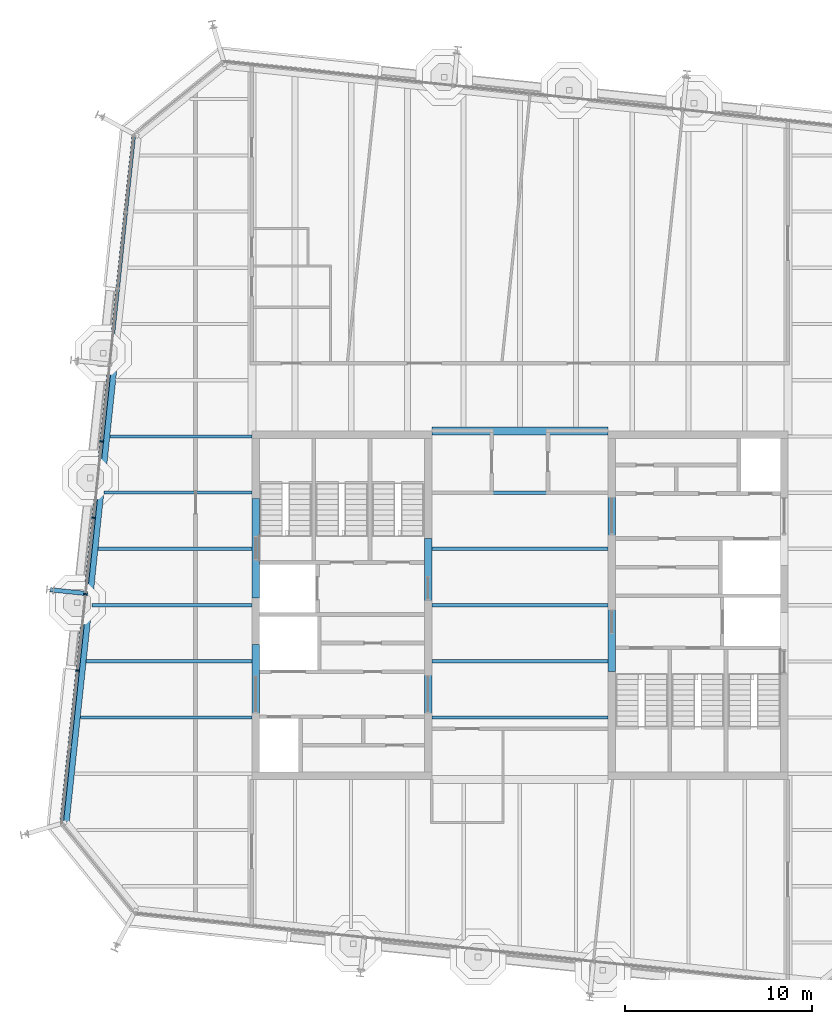
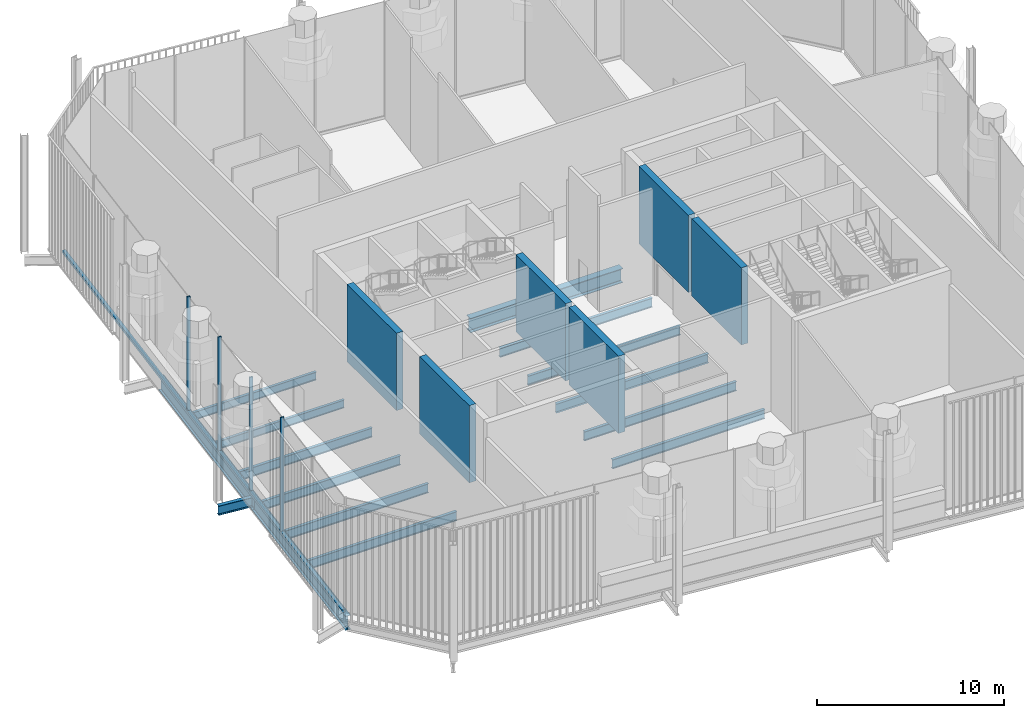
# One storey, part 4 of 17: 21 beams, 5 members, 1 element without a shape of its own.
"""IFC4 building model written with IfcOpenShell, lengths in metres."""

from ifc_helpers import new_model, si_unit, direction, frame, origin, origin_2d, place, context, subcontext, project, spatial, rectangle, i_section, extrude, material, layer, layer_set, material_profile, profile_set, type_object, element, aggregate, save


model = new_model("IFC4")

# Units and contexts
model_context = context("Model", 3, precision=1e-05, world=origin(), true_north=direction((0.0, 1.0)))
body_context = subcontext(model_context, "Body", "Model", "MODEL_VIEW")
ifc_project = project(units=[si_unit("LENGTHUNIT", "METRE"), si_unit("AREAUNIT", "SQUARE_METRE"), si_unit("VOLUMEUNIT", "CUBIC_METRE"), si_unit("PLANEANGLEUNIT", "RADIAN"), si_unit("MASSUNIT", "GRAM", prefix="KILO")], contexts=[model_context])

# Site, building, storey
site_placement = place(None, origin())
site = spatial("IfcSite", under=ifc_project, at=site_placement, CompositionType="ELEMENT")
building_placement = place(site_placement, origin())
building = spatial("IfcBuilding", under=site, at=building_placement, Name="Millrace Tower", CompositionType="ELEMENT")
storey_placement = place(building_placement, frame((0.0, 0.0, 311.10009765625)))
storey = spatial("IfcBuildingStorey", under=building, at=storey_placement, Name="L72", CompositionType="ELEMENT", Elevation=311.10009765625)

# Curtain wall, members
ifc_material_1 = material(Name="Aluminium and glass", Category="aluminium")
ifc_layer = layer(ifc_material_1, 0.199951171875)
ifc_layer_set = layer_set([ifc_layer], Name="Aluminium and glass")
curtain_wall_type = type_object("IfcCurtainWallType", Name="CW-4 sky garden winter glazing", PredefinedType="NOTDEFINED", material=ifc_layer_set)
curtain_wall_placement = place(storey_placement, origin())
curtain_wall = element("IfcCurtainWall", 1, at=curtain_wall_placement, inside=storey, type_object=curtain_wall_type, Name="Curtain wall E-F08 L72", PredefinedType="NOTDEFINED")
ifc_material_2 = material(Name="Aluminium", Category="aluminium")
ifc_material_profile_1 = material_profile(ifc_material_2, rectangle(XDim=0.080078125, YDim=0.199951171875, at=origin_2d()))
ifc_profile_set_1 = profile_set([ifc_material_profile_1], Name="Aluminium")
member_type_1 = type_object("IfcMemberType", Name="CW-4 sky garden winter glazing mullion", PredefinedType="MULLION", material=ifc_profile_set_1)
member_1_placement = place(storey_placement, frame((-22.314697265625, 8.737548828125, 0.179931640625), z_axis=(0.0, 0.0, 1.0), x_axis=(-0.104528455196, -0.994521896217, 0.0)))
member_1 = element("IfcMember", 2, at=member_1_placement, type_object=member_type_1, Name="CW4 mullion E-F08.5", PredefinedType="MULLION", context=body_context, shape_type="SweptSolid", body=[
    extrude(rectangle(XDim=0.080078125, YDim=0.199951171875, at=origin_2d()), origin(), (0.0, 0.0, 1.0), 7.419921875),
])
member_2_placement = place(storey_placement, frame((-22.743408203125, 4.659912109375, 0.179931640625), z_axis=(0.0, 0.0, 1.0), x_axis=(-0.104528455196, -0.994521896217, 0.0)))
member_2 = element("IfcMember", 3, at=member_2_placement, type_object=member_type_1, Name="CW4 mullion E-F08.6", PredefinedType="MULLION", context=body_context, shape_type="SweptSolid", body=[
    extrude(rectangle(XDim=0.080078125, YDim=0.199951171875, at=origin_2d()), origin(), (0.0, 0.0, 1.0), 7.419921875),
])
member_3_placement = place(storey_placement, frame((-23.171875, 0.582275390625, 0.179931640625), z_axis=(0.0, 0.0, 1.0), x_axis=(-0.104528455196, -0.994521896217, 0.0)))
member_3 = element("IfcMember", 4, at=member_3_placement, type_object=member_type_1, Name="CW4 mullion E-F08.7", PredefinedType="MULLION", context=body_context, shape_type="SweptSolid", body=[
    extrude(rectangle(XDim=0.080078125, YDim=0.199951171875, at=origin_2d()), origin(), (0.0, 0.0, 1.0), 7.419921875),
])
member_4_placement = place(storey_placement, frame((-23.600341796875, -3.4951171875, 0.179931640625), z_axis=(0.0, 0.0, 1.0), x_axis=(-0.104528455196, -0.994521896217, 0.0)))
member_4 = element("IfcMember", 5, at=member_4_placement, type_object=member_type_1, Name="CW4 mullion E-F08.8", PredefinedType="MULLION", context=body_context, shape_type="SweptSolid", body=[
    extrude(rectangle(XDim=0.080078125, YDim=0.199951171875, at=origin_2d()), origin(), (0.0, 0.0, 1.0), 7.419921875),
])
ifc_material_3 = material(Name="Aluminium", Category="aluminium")
ifc_material_profile_2 = material_profile(ifc_material_3, rectangle(XDim=0.199951171875, YDim=0.179931640625, at=origin_2d()))
ifc_profile_set_2 = profile_set([ifc_material_profile_2], Name="Aluminium")
member_type_2 = type_object("IfcMemberType", Name="CW-4 sky garden winter glazing transom", PredefinedType="USERDEFINED", material=ifc_profile_set_2)
member_5_placement = place(storey_placement, frame((-20.606689453125, 24.988037109375, 0.08984375), z_axis=(-0.104527916025, -0.994521952886, 0.0), x_axis=(0.994521952886, -0.104527916025, 0.0)))
member_5 = element("IfcMember", 6, at=member_5_placement, type_object=member_type_2, Name="CW4 transom E-F08.1", ObjectType="TRANSOM", PredefinedType="USERDEFINED", context=body_context, shape_type="SweptSolid", body=[
    extrude(rectangle(XDim=0.199951171875, YDim=0.179931640625, at=origin_2d()), origin(), (0.0, 0.0, 1.0), 36.699951171875),
])
aggregate(curtain_wall, [member_1, member_2, member_3, member_4, member_5])

# Beams
ifc_material_4 = material(Name="Concrete C60", Category="concrete")
ifc_material_profile_3 = material_profile(ifc_material_4, rectangle(XDim=0.39990234375, YDim=5.0400390625, at=origin_2d()))
ifc_profile_set_3 = profile_set([ifc_material_profile_3], Name="Concrete C60")
beam_type_1 = type_object("IfcBeamType", Name="Coupling beam 400 x 5040 Concrete C60, 1300 opening", PredefinedType="BEAM", material=ifc_profile_set_3)
for number, where, z_axis, x_axis, name in (
    (7, (-14.10009765625, 0.384033203125, 4.919921875), (0.0, 1.0, 0.0), (-1.0, 0.0, 0.0), "Coupling beam W L72"),
    (8, (-4.89990234375, -1.74609375, 4.919921875), (0.0, 1.0, 0.0), (-1.0, 0.0, 0.0), "Coupling beam W L72"),
    (9, (4.89990234375, 1.74609375, 4.919921875), (0.0, -1.0, 0.0), (1.0, 0.0, 0.0), "Coupling beam E L72"),
):
    element("IfcBeam", number, at=place(storey_placement, frame(where, z_axis=z_axis, x_axis=x_axis)), inside=storey, type_object=beam_type_1, Name=name, PredefinedType="BEAM", context=body_context, shape_type="SweptSolid", body=[
        extrude(rectangle(XDim=0.39990234375, YDim=5.0400390625, at=origin_2d()), origin(), (0.0, 0.0, 1.0), 5.2919921875),
    ])
ifc_material_5 = material(Name="Concrete C60", Category="concrete")
ifc_material_profile_4 = material_profile(ifc_material_5, rectangle(XDim=0.39990234375, YDim=5.0400390625, at=origin_2d()))
ifc_profile_set_4 = profile_set([ifc_material_profile_4], Name="Concrete C60")
beam_type_2 = type_object("IfcBeamType", Name="Coupling beam 400 x 5040 Concrete C60, 2000 opening", PredefinedType="BEAM", material=ifc_profile_set_4)
for number, where, z_axis, x_axis, name in (
    (10, (-14.10009765625, -7.39599609375, 4.919921875), (0.0, 1.0, 0.0), (-1.0, 0.0, 0.0), "Coupling beam W L72"),
    (11, (-4.89990234375, -7.39599609375, 4.919921875), (0.0, 1.0, 0.0), (-1.0, 0.0, 0.0), "Coupling beam W L72"),
    (12, (4.89990234375, 7.39599609375, 4.919921875), (0.0, -1.0, 0.0), (1.0, 0.0, 0.0), "Coupling beam E L72"),
):
    element("IfcBeam", number, at=place(storey_placement, frame(where, z_axis=z_axis, x_axis=x_axis)), inside=storey, type_object=beam_type_2, Name=name, PredefinedType="BEAM", context=body_context, shape_type="SweptSolid", body=[
        extrude(rectangle(XDim=0.39990234375, YDim=5.0400390625, at=origin_2d()), origin(), (0.0, 0.0, 1.0), 5.2919921875),
    ])
ifc_material_6 = material(Name="Steel ASTM A992 Grade 50", Category="steel")
ifc_material_profile_5 = material_profile(ifc_material_6, i_section(OverallWidth=0.1650390625, OverallDepth=0.52587890625, WebThickness=0.0087890625, FlangeThickness=0.011474609375, FilletRadius=0.0126953125, at=origin_2d()))
ifc_profile_set_5 = profile_set([ifc_material_profile_5], Name="Steel ASTM A992 Grade 50")
beam_type_3 = type_object("IfcBeamType", Name="Floor beam W21x44", PredefinedType="JOIST", material=ifc_profile_set_5)
beam_1_placement = place(storey_placement, frame((-22.19287109375, 6.0, -0.512939453125), z_axis=(1.0, 0.0, 0.0), x_axis=(0.0, 1.0, 0.0)))
element("IfcBeam", 13, at=beam_1_placement, inside=storey, type_object=beam_type_3, Name="BM-E-L72-S1-S021", PredefinedType="JOIST", context=body_context, shape_type="SweptSolid", body=[
    extrude(i_section(OverallWidth=0.1650390625, OverallDepth=0.52587890625, WebThickness=0.0087890625, FlangeThickness=0.011474609375, FilletRadius=0.0126953125, at=origin_2d()), origin(), (0.0, 0.0, 1.0), 7.892822265625),
])
beam_2_placement = place(storey_placement, frame((-21.87744140625, 9.0, -0.512939453125), z_axis=(1.0, 0.0, 0.0), x_axis=(0.0, 1.0, 0.0)))
element("IfcBeam", 14, at=beam_2_placement, inside=storey, type_object=beam_type_3, Name="BM-E-L72-S1-S023", PredefinedType="JOIST", context=body_context, shape_type="SweptSolid", body=[
    extrude(i_section(OverallWidth=0.1650390625, OverallDepth=0.52587890625, WebThickness=0.0087890625, FlangeThickness=0.011474609375, FilletRadius=0.0126953125, at=origin_2d()), origin(), (0.0, 0.0, 1.0), 7.577392578125),
])
ifc_material_7 = material(Name="Steel ASTM A992 Grade 50", Category="steel")
ifc_material_profile_6 = material_profile(ifc_material_7, i_section(OverallWidth=0.177978515625, OverallDepth=0.599365234375, WebThickness=0.010009765625, FlangeThickness=0.012939453125, FilletRadius=0.012939453125, at=origin_2d()))
ifc_profile_set_6 = profile_set([ifc_material_profile_6], Name="Steel ASTM A992 Grade 50")
beam_type_4 = type_object("IfcBeamType", Name="Floor beam W24x55", PredefinedType="JOIST", material=ifc_profile_set_6)
beam_3_placement = place(storey_placement, frame((-4.699951171875, -6.0, -0.5498046875), z_axis=(1.0, 0.0, 0.0), x_axis=(0.0, 1.0, 0.0)))
element("IfcBeam", 15, at=beam_3_placement, inside=storey, type_object=beam_type_4, Name="BM-E-L72-S1-S008", PredefinedType="JOIST", context=body_context, shape_type="SweptSolid", body=[
    extrude(i_section(OverallWidth=0.177978515625, OverallDepth=0.599365234375, WebThickness=0.010009765625, FlangeThickness=0.012939453125, FilletRadius=0.012939453125, at=origin_2d()), origin(), (0.0, 0.0, 1.0), 9.39990234375),
])
beam_4_placement = place(storey_placement, frame((-23.4541015625, -6.0, -0.5498046875), z_axis=(1.0, 0.0, 0.0), x_axis=(0.0, 1.0, 0.0)))
element("IfcBeam", 16, at=beam_4_placement, inside=storey, type_object=beam_type_4, Name="BM-E-L72-S1-S009", PredefinedType="JOIST", context=body_context, shape_type="SweptSolid", body=[
    extrude(i_section(OverallWidth=0.177978515625, OverallDepth=0.599365234375, WebThickness=0.010009765625, FlangeThickness=0.012939453125, FilletRadius=0.012939453125, at=origin_2d()), origin(), (0.0, 0.0, 1.0), 9.154052734375),
])
beam_5_placement = place(storey_placement, frame((-4.699951171875, -3.0, -0.5498046875), z_axis=(1.0, 0.0, 0.0), x_axis=(0.0, 1.0, 0.0)))
element("IfcBeam", 17, at=beam_5_placement, inside=storey, type_object=beam_type_4, Name="BM-E-L72-S1-S011", PredefinedType="JOIST", context=body_context, shape_type="SweptSolid", body=[
    extrude(i_section(OverallWidth=0.177978515625, OverallDepth=0.599365234375, WebThickness=0.010009765625, FlangeThickness=0.012939453125, FilletRadius=0.012939453125, at=origin_2d()), origin(), (0.0, 0.0, 1.0), 9.39990234375),
])
beam_6_placement = place(storey_placement, frame((-23.138916015625, -3.0, -0.5498046875), z_axis=(1.0, 0.0, 0.0), x_axis=(0.0, 1.0, 0.0)))
element("IfcBeam", 18, at=beam_6_placement, inside=storey, type_object=beam_type_4, Name="BM-E-L72-S1-S012", PredefinedType="JOIST", context=body_context, shape_type="SweptSolid", body=[
    extrude(i_section(OverallWidth=0.177978515625, OverallDepth=0.599365234375, WebThickness=0.010009765625, FlangeThickness=0.012939453125, FilletRadius=0.012939453125, at=origin_2d()), origin(), (0.0, 0.0, 1.0), 8.8388671875),
])
beam_7_placement = place(storey_placement, frame((-4.699951171875, 0.0, -0.5498046875), z_axis=(1.0, 0.0, 0.0), x_axis=(0.0, 1.0, 0.0)))
element("IfcBeam", 19, at=beam_7_placement, inside=storey, type_object=beam_type_4, Name="BM-E-L72-S1-S014", PredefinedType="JOIST", context=body_context, shape_type="SweptSolid", body=[
    extrude(i_section(OverallWidth=0.177978515625, OverallDepth=0.599365234375, WebThickness=0.010009765625, FlangeThickness=0.012939453125, FilletRadius=0.012939453125, at=origin_2d()), origin(), (0.0, 0.0, 1.0), 9.39990234375),
])
beam_8_placement = place(storey_placement, frame((-22.823486328125, 0.0, -0.5498046875), z_axis=(1.0, 0.0, 0.0), x_axis=(0.0, 1.0, 0.0)))
element("IfcBeam", 20, at=beam_8_placement, inside=storey, type_object=beam_type_4, Name="BM-E-L72-S1-S015", PredefinedType="JOIST", context=body_context, shape_type="SweptSolid", body=[
    extrude(i_section(OverallWidth=0.177978515625, OverallDepth=0.599365234375, WebThickness=0.010009765625, FlangeThickness=0.012939453125, FilletRadius=0.012939453125, at=origin_2d()), origin(), (0.0, 0.0, 1.0), 8.5234375),
])
beam_9_placement = place(storey_placement, frame((-4.699951171875, 3.0, -0.5498046875), z_axis=(1.0, 0.0, 0.0), x_axis=(0.0, 1.0, 0.0)))
element("IfcBeam", 21, at=beam_9_placement, inside=storey, type_object=beam_type_4, Name="BM-E-L72-S1-S017", PredefinedType="JOIST", context=body_context, shape_type="SweptSolid", body=[
    extrude(i_section(OverallWidth=0.177978515625, OverallDepth=0.599365234375, WebThickness=0.010009765625, FlangeThickness=0.012939453125, FilletRadius=0.012939453125, at=origin_2d()), origin(), (0.0, 0.0, 1.0), 9.39990234375),
])
beam_10_placement = place(storey_placement, frame((-22.508056640625, 3.0, -0.5498046875), z_axis=(1.0, 0.0, 0.0), x_axis=(0.0, 1.0, 0.0)))
element("IfcBeam", 22, at=beam_10_placement, inside=storey, type_object=beam_type_4, Name="BM-E-L72-S1-S018", PredefinedType="JOIST", context=body_context, shape_type="SweptSolid", body=[
    extrude(i_section(OverallWidth=0.177978515625, OverallDepth=0.599365234375, WebThickness=0.010009765625, FlangeThickness=0.012939453125, FilletRadius=0.012939453125, at=origin_2d()), origin(), (0.0, 0.0, 1.0), 8.2080078125),
])
beam_11_placement = place(storey_placement, frame((-4.699951171875, 6.0, -0.5498046875), z_axis=(1.0, 0.0, 0.0), x_axis=(0.0, 1.0, 0.0)))
element("IfcBeam", 23, at=beam_11_placement, inside=storey, type_object=beam_type_4, Name="BM-E-L72-S1-S020", PredefinedType="JOIST", context=body_context, shape_type="SweptSolid", body=[
    extrude(i_section(OverallWidth=0.177978515625, OverallDepth=0.599365234375, WebThickness=0.010009765625, FlangeThickness=0.012939453125, FilletRadius=0.012939453125, at=origin_2d()), origin(), (0.0, 0.0, 1.0), 9.39990234375),
])
ifc_material_8 = material(Name="Steel ASTM A992 Grade 50", Category="steel")
ifc_material_profile_7 = material_profile(ifc_material_8, i_section(OverallWidth=0.419189453125, OverallDepth=0.927001953125, WebThickness=0.019287109375, FlangeThickness=0.031982421875, FilletRadius=0.024169921875, at=origin_2d()))
ifc_profile_set_7 = profile_set([ifc_material_profile_7], Name="Steel ASTM A992 Grade 50")
beam_type_5 = type_object("IfcBeamType", Name="Girder short span W36x231", PredefinedType="BEAM", material=ifc_profile_set_7)
beam_12_placement = place(storey_placement, frame((-4.699951171875, 9.300048828125, -0.713623046875), z_axis=(1.0, 0.0, 0.0), x_axis=(0.0, 1.0, 0.0)))
element("IfcBeam", 24, at=beam_12_placement, inside=storey, type_object=beam_type_5, Name="BM-E-L72-S1-G058", PredefinedType="BEAM", context=body_context, shape_type="SweptSolid", body=[
    extrude(i_section(OverallWidth=0.419189453125, OverallDepth=0.927001953125, WebThickness=0.019287109375, FlangeThickness=0.031982421875, FilletRadius=0.024169921875, at=origin_2d()), origin(), (0.0, 0.0, 1.0), 9.39990234375),
])
ifc_material_9 = material(Name="Steel ASTM A992 Grade 50", Category="steel")
ifc_material_profile_8 = material_profile(ifc_material_9, i_section(OverallWidth=0.23046875, OverallDepth=0.6171875, WebThickness=0.01318359375, FlangeThickness=0.022216796875, FilletRadius=0.012939453125, at=origin_2d()))
ifc_profile_set_8 = profile_set([ifc_material_profile_8], Name="Steel ASTM A992 Grade 50")
beam_type_6 = type_object("IfcBeamType", Name="Link beam W24x94", PredefinedType="BEAM", material=ifc_profile_set_8)
beam_13_placement = place(storey_placement, frame((-23.068115234375, 0.61181640625, -0.55859375), z_axis=(-0.994526834051, 0.104481464157, 0.0), x_axis=(-0.104481464157, -0.994526834051, 0.0)))
element("IfcBeam", 25, at=beam_13_placement, inside=storey, type_object=beam_type_6, Name="LNK-E-L72-S1-02", PredefinedType="BEAM", context=body_context, shape_type="SweptSolid", body=[
    extrude(i_section(OverallWidth=0.23046875, OverallDepth=0.6171875, WebThickness=0.01318359375, FlangeThickness=0.022216796875, FilletRadius=0.012939453125, at=origin_2d()), origin(), (0.0, 0.0, 1.0), 2.000244140625),
])
ifc_material_10 = material(Name="Steel ASTM A992 Grade 50", Category="steel")
ifc_material_profile_9 = material_profile(ifc_material_10, i_section(OverallWidth=0.307373046875, OverallDepth=0.927001953125, WebThickness=0.01953125, FlangeThickness=0.031982421875, FilletRadius=0.01904296875, at=origin_2d()))
ifc_profile_set_9 = profile_set([ifc_material_profile_9], Name="Steel ASTM A992 Grade 50")
beam_type_7 = type_object("IfcBeamType", Name="Ring beam medium span W36x194", PredefinedType="SPANDREL", material=ifc_profile_set_9)
beam_14_placement = place(storey_placement, frame((-24.1943359375, -11.57373046875, -0.713623046875), z_axis=(0.104527955888, 0.994521948696, 0.0), x_axis=(-0.994521948696, 0.104527955888, 0.0)))
element("IfcBeam", 26, at=beam_14_placement, inside=storey, type_object=beam_type_7, Name="RNG-E-L72-S1-01", PredefinedType="SPANDREL", context=body_context, shape_type="SweptSolid", body=[
    extrude(i_section(OverallWidth=0.307373046875, OverallDepth=0.927001953125, WebThickness=0.01953125, FlangeThickness=0.031982421875, FilletRadius=0.01904296875, at=origin_2d()), origin(), (0.0, 0.0, 1.0), 12.236572265625),
])
beam_15_placement = place(storey_placement, frame((-22.915283203125, 0.595703125, -0.713623046875), z_axis=(0.104523600289, 0.994522406476, 0.0), x_axis=(-0.994522406476, 0.104523600289, 0.0)))
element("IfcBeam", 27, at=beam_15_placement, inside=storey, type_object=beam_type_7, Name="RNG-E-L72-S1-02", PredefinedType="SPANDREL", context=body_context, shape_type="SweptSolid", body=[
    extrude(i_section(OverallWidth=0.307373046875, OverallDepth=0.927001953125, WebThickness=0.01953125, FlangeThickness=0.031982421875, FilletRadius=0.01904296875, at=origin_2d()), origin(), (0.0, 0.0, 1.0), 12.300048828125),
])

save(model, "model.ifc")
